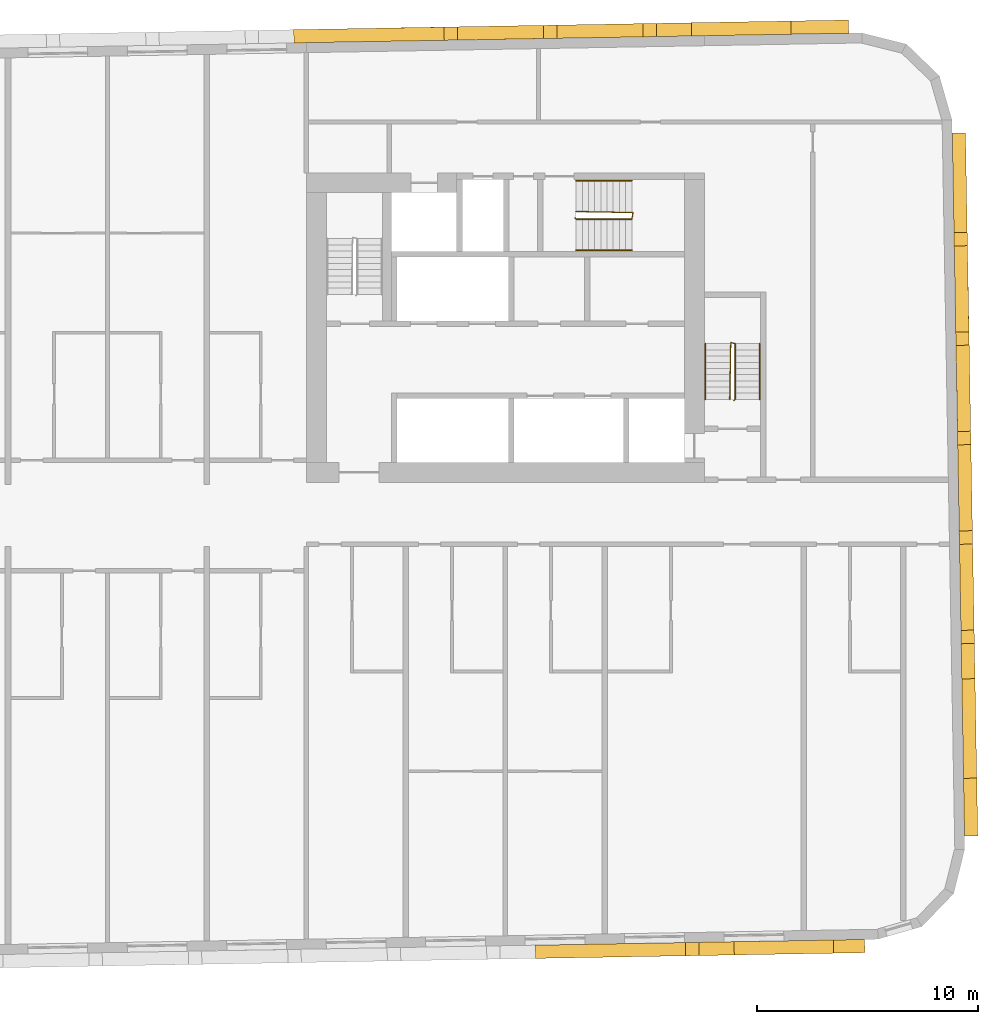
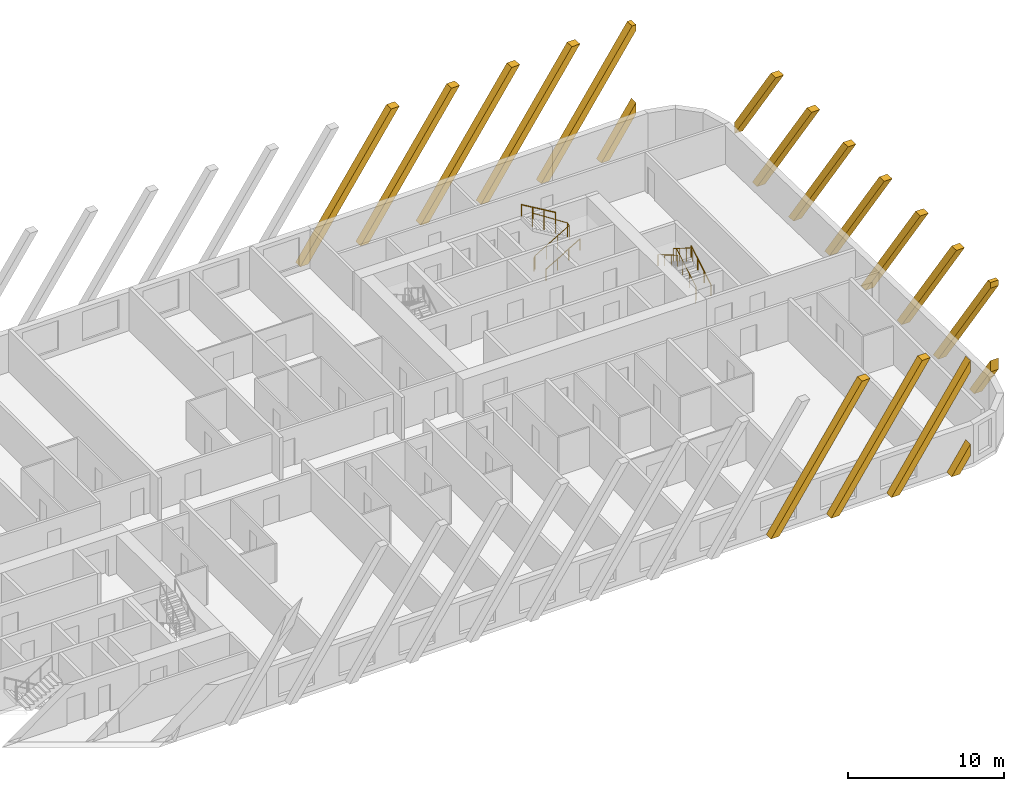
# One storey, part 12 of 12: 18 coverings, 6 railings.
"""IFC4 building model written with IfcOpenShell, lengths in metres."""

import ifcopenshell
import ifcopenshell.guid

model = None  # the IFC model being written
_history = None  # IfcOwnerHistory: only IFC2X3 demands one
_inside = {}  # id of a spatial element -> (the spatial element, [elements in it])
_under = {}  # id of a project, library or spatial element -> (it, [spatial elements below it])
_declared = {}  # id of a project -> (the project, [libraries it declares])
_typed = {}  # id of a type object -> (the type object, [elements of that type])
_made_of = {}  # id of a material, layer set ... -> (it, [elements and type objects made of it])


def new_model(schema):
    """Start an empty IFC model of exactly this schema.

    Asked for "IFC4X3", IfcOpenShell would pick the latest addendum, in which some entities
    have other attributes; the version numbers below select the first issue.
    IFC2X3 requires an IfcOwnerHistory on every rooted entity: one is made here for all.
    """
    global model, _history
    if schema == "IFC4X3":
        model = ifcopenshell.file(schema_version=(4, 3, 0, 0))
    else:
        model = ifcopenshell.file(schema=schema)
    _inside.clear()
    _under.clear()
    _declared.clear()
    _typed.clear()
    _made_of.clear()
    _history = None
    if model.schema == "IFC2X3":
        org = make("IfcOrganization", Name="unknown")
        user = make(
            "IfcPersonAndOrganization",
            ThePerson=make("IfcPerson", FamilyName="unknown"),
            TheOrganization=org,
        )
        app = make(
            "IfcApplication",
            ApplicationDeveloper=org,
            Version="unknown",
            ApplicationFullName="unknown",
            ApplicationIdentifier="unknown",
        )
        _history = make(
            "IfcOwnerHistory",
            OwningUser=user,
            OwningApplication=app,
            ChangeAction="ADDED",
            CreationDate=0,
        )
    return model


def make(cls, **values):
    """One entity of the class cls with the attributes given. An attribute that is None is left unset."""
    return model.create_entity(
        cls, **{name: value for name, value in values.items() if value is not None}
    )


def rooted(cls, **values):
    """An entity with a GlobalId (a new one), such as an element, a storey or a relation."""
    return make(cls, GlobalId=ifcopenshell.guid.new(), OwnerHistory=_history, **values)


def si_unit(unit_type, name, prefix=None):
    """IfcSIUnit, for example si_unit("LENGTHUNIT", "METRE", prefix="MILLI")."""
    return make("IfcSIUnit", UnitType=unit_type, Prefix=prefix, Name=name)


def assignment(units):
    """IfcUnitAssignment: the units of a project."""
    return None if units is None else make("IfcUnitAssignment", Units=units)


def point(xyz):
    """IfcCartesianPoint."""
    return None if xyz is None else make("IfcCartesianPoint", Coordinates=xyz)


def direction(xyz):
    """IfcDirection."""
    return None if xyz is None else make("IfcDirection", DirectionRatios=xyz)


def frame(location, z_axis=None, x_axis=None):
    """IfcAxis2Placement3D, a coordinate frame: its origin and axes. An axis left out is left unset."""
    return make(
        "IfcAxis2Placement3D",
        Location=point(location),
        Axis=direction(z_axis),
        RefDirection=direction(x_axis),
    )


def frame_2d(location, x_axis=None):
    """IfcAxis2Placement2D, a coordinate frame in the plane: its origin and x axis."""
    return make(
        "IfcAxis2Placement2D", Location=point(location), RefDirection=direction(x_axis)
    )


def origin():
    """The frame at (0, 0, 0) with its axes left unset."""
    return frame((0.0, 0.0, 0.0))


def origin_2d():
    """The frame at (0, 0) in the plane with its x axis left unset."""
    return frame_2d((0.0, 0.0))


def place(relative_to, where):
    """IfcLocalPlacement: puts the frame where relative to a parent placement (None: the world)."""
    return make(
        "IfcLocalPlacement", PlacementRelTo=relative_to, RelativePlacement=where
    )


def context(
    kind, dimensions, precision=None, world=None, true_north=None, identifier=None
):
    """IfcGeometricRepresentationContext, for example the 3D "Model" context."""
    return make(
        "IfcGeometricRepresentationContext",
        ContextIdentifier=identifier,
        ContextType=kind,
        CoordinateSpaceDimension=dimensions,
        Precision=precision,
        WorldCoordinateSystem=world,
        TrueNorth=true_north,
    )


def subcontext(parent, identifier, kind, view, scale=None):
    """IfcGeometricRepresentationSubContext, for example "Body" below "Model"."""
    return make(
        "IfcGeometricRepresentationSubContext",
        ContextIdentifier=identifier,
        ContextType=kind,
        ParentContext=parent,
        TargetScale=scale,
        TargetView=view,
    )


def project(units=None, contexts=None):
    """IfcProject with its units and contexts."""
    return rooted(
        "IfcProject",
        Name="project",
        RepresentationContexts=contexts,
        UnitsInContext=assignment(units),
    )


def spatial(cls, under=None, at=None, **own):
    """A site, building, storey or space (cls), placed at a placement, below another one or the project."""
    s = rooted(cls, ObjectPlacement=at, **own)
    if under is not None:
        _under.setdefault(under.id(), (under, []))[1].append(s)
    return s


def polyline(points):
    """IfcPolyline through the points."""
    return make("IfcPolyline", Points=[point(p) for p in points])


def profile(cls, at=None, kind="AREA", **sizes):
    """A parametric profile (cls). Its sizes go by their IFC names, for example OverallWidth=200.0."""
    return make(cls, ProfileType=kind, Position=at, **sizes)


def rectangle(**sizes):
    """IfcRectangleProfileDef."""
    return profile("IfcRectangleProfileDef", **sizes)


def circle(**sizes):
    """IfcCircleProfileDef."""
    return profile("IfcCircleProfileDef", **sizes)


def outline(outer, holes=None, kind="AREA"):
    """IfcArbitraryClosedProfileDef: a profile drawn as a closed curve; with holes, ...WithVoids."""
    if holes is None:
        return make("IfcArbitraryClosedProfileDef", ProfileType=kind, OuterCurve=outer)
    return make(
        "IfcArbitraryProfileDefWithVoids",
        ProfileType=kind,
        OuterCurve=outer,
        InnerCurves=holes,
    )


def extrude(swept, where, along, depth):
    """IfcExtrudedAreaSolid: the profile swept, set in the frame where, extruded along a direction by depth."""
    return make(
        "IfcExtrudedAreaSolid",
        SweptArea=swept,
        Position=where,
        ExtrudedDirection=direction(along),
        Depth=depth,
    )


def shape(context_of_items, identifier, shape_type, items):
    """IfcShapeRepresentation: the items that make up one representation, for example the "Body"."""
    return make(
        "IfcShapeRepresentation",
        ContextOfItems=context_of_items,
        RepresentationIdentifier=identifier,
        RepresentationType=shape_type,
        Items=items,
    )


def material(Name=None, Category=None):
    """IfcMaterial."""
    return make("IfcMaterial", Name=Name, Category=Category)


def material_profile(
    of_material, cross_section, Name=None, Category=None, Priority=None
):
    """IfcMaterialProfile: a cross section and its material."""
    return make(
        "IfcMaterialProfile",
        Name=Name,
        Material=of_material,
        Profile=cross_section,
        Priority=Priority,
        Category=Category,
    )


def profile_set(profiles, Name=None, composite=None):
    """IfcMaterialProfileSet."""
    return make(
        "IfcMaterialProfileSet",
        Name=Name,
        MaterialProfiles=profiles,
        CompositeProfile=composite,
    )


def made_of(thing, what):
    """Note that an element or type object is made of a material, layer set ...; save() writes the relation."""
    if what is not None:
        _made_of.setdefault(what.id(), (what, []))[1].append(thing)
    return thing


def type_object(cls, material=None, **own):
    """A type object (cls), such as IfcWallType, which elements share."""
    return made_of(rooted(cls, **own), material)


def element(
    cls,
    number,
    at=None,
    inside=None,
    cuts=None,
    type_object=None,
    material=None,
    context=None,
    identifier="Body",
    shape_type=None,
    held_by="IfcProductDefinitionShape",
    body=None,
    shapes=None,
    **own,
):
    """One element of the class cls, such as IfcWall. Its Tag is "e" and its number.

    at: its placement. inside: the storey or other place that contains it. cuts: it is an
    opening in that element (IfcRelVoidsElement). A single representation is given by context,
    identifier, shape_type and body (its items); several are given by shapes. held_by: the class
    of the entity that holds the representations. save() writes the other relations.
    """
    e = rooted(cls, Tag="e%d" % number, ObjectPlacement=at, **own)
    if body is not None:
        shapes = [shape(context, identifier, shape_type, body)]
    if shapes is not None:
        e.Representation = make(held_by, Representations=shapes)
    if inside is not None:
        _inside.setdefault(inside.id(), (inside, []))[1].append(e)
    if cuts is not None:
        rooted(
            "IfcRelVoidsElement", RelatingBuildingElement=cuts, RelatedOpeningElement=e
        )
    if type_object is not None:
        _typed.setdefault(type_object.id(), (type_object, []))[1].append(e)
    return made_of(e, material)


def aggregate(whole, parts):
    """IfcRelAggregates: a whole, such as a stair, and the parts it consists of."""
    return rooted("IfcRelAggregates", RelatingObject=whole, RelatedObjects=parts)


def save(model, path):
    """Write the relations noted so far, then the file.

    IfcRelAggregates (storeys below a building ...), IfcRelContainedInSpatialStructure (elements
    in a storey), IfcRelDefinesByType, IfcRelAssociatesMaterial and IfcRelDeclares: one each for
    every whole, place, type object, material and project.
    """
    for whole, parts in _under.values():
        aggregate(whole, parts)
    for where, things in _inside.values():
        rooted(
            "IfcRelContainedInSpatialStructure",
            RelatedElements=things,
            RelatingStructure=where,
        )
    for kind, things in _typed.values():
        rooted("IfcRelDefinesByType", RelatedObjects=things, RelatingType=kind)
    for what, things in _made_of.values():
        rooted("IfcRelAssociatesMaterial", RelatedObjects=things, RelatingMaterial=what)
    for by, libraries in _declared.values():
        rooted("IfcRelDeclares", RelatingContext=by, RelatedDefinitions=libraries)
    model.write(path)


model = new_model("IFC4")

# Units and contexts
model_context = context("Model", 3, precision=1e-05, world=origin(), true_north=direction((0.0, 1.0)))
body_context = subcontext(model_context, "Body", "Model", "MODEL_VIEW")
ifc_project = project(units=[si_unit("LENGTHUNIT", "METRE"), si_unit("AREAUNIT", "SQUARE_METRE"), si_unit("VOLUMEUNIT", "CUBIC_METRE"), si_unit("PLANEANGLEUNIT", "RADIAN"), si_unit("MASSUNIT", "GRAM", prefix="KILO")], contexts=[model_context])

# Site, building, storey
site_placement = place(None, origin())
site = spatial("IfcSite", under=ifc_project, at=site_placement, CompositionType="ELEMENT")
building_placement = place(site_placement, origin())
building = spatial("IfcBuilding", under=site, at=building_placement, Name="Kajstack Hotel Tower", CompositionType="ELEMENT")
storey_placement = place(building_placement, frame((0.0, 0.0, 227.60009765625)))
storey = spatial("IfcBuildingStorey", under=building, at=storey_placement, Name="L55", CompositionType="ELEMENT", Elevation=227.60009765625)

# Coverings
ifc_material_1 = material(Name="Terracotta", Category="masonry")
ifc_material_profile = material_profile(ifc_material_1, rectangle(XDim=0.60009765625, YDim=0.5, at=origin_2d()), Name="Terracotta-clad concrete baguette 500 x 600")
ifc_profile_set = profile_set([ifc_material_profile], Name="Terracotta")
covering_type = type_object("IfcCoveringType", Name="BAGUETTE 500x600", PredefinedType="CLADDING", material=ifc_profile_set)
covering_1_placement = place(storey_placement, frame((23.84716796875, -19.439208984375, 0.0), z_axis=(0.017498337962, -0.999846892363, 0.0), x_axis=(0.999846892363, 0.017498337962, 0.0)))
element("IfcCovering", 1, at=covering_1_placement, inside=storey, type_object=covering_type, Name="Baguette L55-04-053", PredefinedType="CLADDING", context=body_context, shape_type="SweptSolid", body=[
    extrude(outline(polyline([(6.80419921875, 9.89990234375), (0.0, 0.0), (0.606689453125, 0.0), (7.410888671875, 9.89990234375), (6.80419921875, 9.89990234375)])), origin(), (0.0, 0.0, 1.0), 0.599853515625),
])
covering_2_placement = place(storey_placement, frame((28.346435546875, -19.360595703125, 0.0), z_axis=(0.017491221207, -0.999847016888, 0.0), x_axis=(0.999847016888, 0.017491221207, 0.0)))
element("IfcCovering", 2, at=covering_2_placement, inside=storey, type_object=covering_type, Name="Baguette L55-04-057", PredefinedType="CLADDING", context=body_context, shape_type="SweptSolid", body=[
    extrude(outline(polyline([(6.80419921875, 9.89990234375), (0.0, 0.0), (0.606689453125, 0.0), (7.410888671875, 9.89990234375), (6.80419921875, 9.89990234375)])), origin(), (0.0, 0.0, 1.0), 0.60009765625),
])
covering_3_placement = place(storey_placement, frame((32.845947265625, -19.2822265625, 0.0), z_axis=(0.017498337962, -0.999846892363, 0.0), x_axis=(0.999846892363, 0.017498337962, 0.0)))
element("IfcCovering", 3, at=covering_3_placement, inside=storey, type_object=covering_type, Name="Baguette L55-04-061", PredefinedType="CLADDING", context=body_context, shape_type="SweptSolid", body=[
    extrude(outline(polyline([(0.606689453125, 0.0), (5.907470703125, 7.712646484375), (5.907470703125, 8.595458984375), (0.0, 0.0), (0.606689453125, 0.0)])), origin(), (0.0, 0.0, 1.0), 0.599853515625),
])
covering_4_placement = place(storey_placement, frame((37.34521484375, -19.20361328125, 0.0), z_axis=(0.017498337962, -0.999846892363, 0.0), x_axis=(0.999846892363, 0.017498337962, 0.0)))
element("IfcCovering", 4, at=covering_4_placement, inside=storey, type_object=covering_type, Name="Baguette L55-04-065", PredefinedType="CLADDING", context=body_context, shape_type="SweptSolid", body=[
    extrude(outline(polyline([(0.606689453125, 0.0), (1.407470703125, 1.1650390625), (1.407470703125, 2.0478515625), (0.0, 0.0), (0.606689453125, 0.0)])), origin(), (0.0, 0.0, 1.0), 0.599853515625),
])
covering_5_placement = place(storey_placement, frame((43.271484375, -14.49951171875, 0.0), z_axis=(0.999846892363, 0.017498337962, 0.0), x_axis=(-0.017498337962, 0.999846892363, 0.0)))
element("IfcCovering", 5, at=covering_5_placement, inside=storey, type_object=covering_type, Name="Baguette L55-08-001", PredefinedType="CLADDING", context=body_context, shape_type="SweptSolid", body=[
    extrude(outline(polyline([(2.607421875, 0.0), (0.0, 3.7939453125), (0.0, 2.9111328125), (2.000732421875, 0.0), (2.607421875, 0.0)])), origin(), (0.0, 0.0, 1.0), 0.599853515625),
])
covering_6_placement = place(storey_placement, frame((43.271484375, -14.49951171875, 0.0), z_axis=(0.999846892363, 0.017498337962, 0.0), x_axis=(-0.017498337962, 0.999846892363, 0.0)))
element("IfcCovering", 6, at=covering_6_placement, inside=storey, type_object=covering_type, Name="Baguette L55-08-005", PredefinedType="CLADDING", context=body_context, shape_type="SweptSolid", body=[
    extrude(outline(polyline([(0.303466796875, 9.89990234375), (0.0, 9.89990234375), (0.0, 9.458740234375), (6.500732421875, 0.0), (7.107421875, 0.0), (0.303466796875, 9.89990234375)])), origin(), (0.0, 0.0, 1.0), 0.599853515625),
])
for number, where, z_axis, x_axis, name in (
    (7, (43.1982421875, -10.303466796875, 0.0), (0.999846892363, 0.017498337962, 0.0), (-0.017498337962, 0.999846892363, 0.0), "Baguette L55-08-009"),
    (8, (43.11962890625, -5.80419921875, 0.0), (0.999846892363, 0.017498337962, 0.0), (-0.017498337962, 0.999846892363, 0.0), "Baguette L55-08-013"),
):
    element("IfcCovering", number, at=place(storey_placement, frame(where, z_axis=z_axis, x_axis=x_axis)), inside=storey, type_object=covering_type, Name=name, PredefinedType="CLADDING", context=body_context, shape_type="SweptSolid", body=[
        extrude(outline(polyline([(0.0, 9.89990234375), (6.80419921875, 0.0), (7.410888671875, 0.0), (0.606689453125, 9.89990234375), (0.0, 9.89990234375)])), origin(), (0.0, 0.0, 1.0), 0.599853515625),
    ])
covering_7_placement = place(storey_placement, frame((43.041015625, -1.304931640625, 0.0), z_axis=(0.999847016888, 0.017491221207, 0.0), x_axis=(-0.017491221207, 0.999847016888, 0.0)))
element("IfcCovering", 9, at=covering_7_placement, inside=storey, type_object=covering_type, Name="Baguette L55-08-017", PredefinedType="CLADDING", context=body_context, shape_type="SweptSolid", body=[
    extrude(outline(polyline([(0.0, 9.89990234375), (6.80419921875, 0.0), (7.410888671875, 0.0), (0.606689453125, 9.89990234375), (0.0, 9.89990234375)])), origin(), (0.0, 0.0, 1.0), 0.60009765625),
])
for number, where, z_axis, x_axis, name in (
    (10, (42.962646484375, 3.194580078125, 0.0), (0.999853929301, 0.017091520159, 0.0), (-0.017091520159, 0.999853929301, 0.0), "Baguette L55-08-021"),
    (11, (42.884033203125, 7.69384765625, 0.0), (0.999846892363, 0.017498337962, 0.0), (-0.017498337962, 0.999846892363, 0.0), "Baguette L55-08-025"),
):
    element("IfcCovering", number, at=place(storey_placement, frame(where, z_axis=z_axis, x_axis=x_axis)), inside=storey, type_object=covering_type, Name=name, PredefinedType="CLADDING", context=body_context, shape_type="SweptSolid", body=[
        extrude(outline(polyline([(0.0, 9.89990234375), (6.80419921875, 0.0), (7.410888671875, 0.0), (0.606689453125, 9.89990234375), (0.0, 9.89990234375)])), origin(), (0.0, 0.0, 1.0), 0.599853515625),
    ])
covering_8_placement = place(storey_placement, frame((42.805419921875, 12.193115234375, 0.0), z_axis=(0.999846892363, 0.017498337962, 0.0), x_axis=(-0.017498337962, 0.999846892363, 0.0)))
element("IfcCovering", 12, at=covering_8_placement, inside=storey, type_object=covering_type, Name="Baguette L55-08-029", PredefinedType="CLADDING", context=body_context, shape_type="SweptSolid", body=[
    extrude(outline(polyline([(0.0, 9.89990234375), (5.103271484375, 2.474609375), (5.103271484375, 3.357421875), (0.606689453125, 9.89990234375), (0.0, 9.89990234375)])), origin(), (0.0, 0.0, 1.0), 0.599853515625),
])
covering_9_placement = place(storey_placement, frame((38.036865234375, 21.814697265625, 0.0), z_axis=(-0.017498337962, 0.999846892363, 0.0), x_axis=(-0.999846892363, -0.017498337962, 0.0)))
element("IfcCovering", 13, at=covering_9_placement, inside=storey, type_object=covering_type, Name="Baguette L55-12-001", PredefinedType="CLADDING", context=body_context, shape_type="SweptSolid", body=[
    extrude(outline(polyline([(2.607421875, 0.0), (0.0, 3.7939453125), (0.0, 2.9111328125), (2.000732421875, 0.0), (2.607421875, 0.0)])), origin(), (0.0, 0.0, 1.0), 0.599853515625),
])
covering_10_placement = place(storey_placement, frame((38.036865234375, 21.814697265625, 0.0), z_axis=(-0.017498337962, 0.999846892363, 0.0), x_axis=(-0.999846892363, -0.017498337962, 0.0)))
element("IfcCovering", 14, at=covering_10_placement, inside=storey, type_object=covering_type, Name="Baguette L55-12-005", PredefinedType="CLADDING", context=body_context, shape_type="SweptSolid", body=[
    extrude(outline(polyline([(0.303466796875, 9.89990234375), (0.0, 9.89990234375), (0.0, 9.458740234375), (6.500732421875, 0.0), (7.107421875, 0.0), (0.303466796875, 9.89990234375)])), origin(), (0.0, 0.0, 1.0), 0.599853515625),
])
covering_11_placement = place(storey_placement, frame((33.8408203125, 21.741455078125, 0.0), z_axis=(-0.017498337962, 0.999846892363, 0.0), x_axis=(-0.999846892363, -0.017498337962, 0.0)))
element("IfcCovering", 15, at=covering_11_placement, inside=storey, type_object=covering_type, Name="Baguette L55-12-009", PredefinedType="CLADDING", context=body_context, shape_type="SweptSolid", body=[
    extrude(outline(polyline([(0.0, 9.89990234375), (6.80419921875, 0.0), (7.410888671875, 0.0), (0.606689453125, 9.89990234375), (0.0, 9.89990234375)])), origin(), (0.0, 0.0, 1.0), 0.599853515625),
])
covering_12_placement = place(storey_placement, frame((29.341552734375, 21.662841796875, 0.0), z_axis=(-0.017491221207, 0.999847016888, 0.0), x_axis=(-0.999847016888, -0.017491221207, 0.0)))
element("IfcCovering", 16, at=covering_12_placement, inside=storey, type_object=covering_type, Name="Baguette L55-12-013", PredefinedType="CLADDING", context=body_context, shape_type="SweptSolid", body=[
    extrude(outline(polyline([(0.0, 9.89990234375), (6.80419921875, 0.0), (7.410888671875, 0.0), (0.606689453125, 9.89990234375), (0.0, 9.89990234375)])), origin(), (0.0, 0.0, 1.0), 0.60009765625),
])
for number, where, z_axis, x_axis, name in (
    (17, (24.842041015625, 21.58447265625, 0.0), (-0.017091520159, 0.999853929301, 0.0), (-0.999853929301, -0.017091520159, 0.0), "Baguette L55-12-017"),
    (18, (20.3427734375, 21.505859375, 0.0), (-0.017498337962, 0.999846892363, 0.0), (-0.999846892363, -0.017498337962, 0.0), "Baguette L55-12-021"),
):
    element("IfcCovering", number, at=place(storey_placement, frame(where, z_axis=z_axis, x_axis=x_axis)), inside=storey, type_object=covering_type, Name=name, PredefinedType="CLADDING", context=body_context, shape_type="SweptSolid", body=[
        extrude(outline(polyline([(0.0, 9.89990234375), (6.80419921875, 0.0), (7.410888671875, 0.0), (0.606689453125, 9.89990234375), (0.0, 9.89990234375)])), origin(), (0.0, 0.0, 1.0), 0.599853515625),
    ])

# Railings
ifc_material_2 = material(Name="Steel S355J2", Category="steel")
railing_type_1 = type_object("IfcRailingType", Name="Stair guard 1100", PredefinedType="GUARDRAIL", material=ifc_material_2)
railing_1_placement = place(storey_placement, frame((32.85009765625, 5.199951171875, 0.0)))
element("IfcRailing", 19, at=railing_1_placement, inside=storey, type_object=railing_type_1, Name="L55 E1 stair guard 1", PredefinedType="GUARDRAIL", context=body_context, shape_type="SweptSolid", body=[
    extrude(circle(Radius=0.02392578125, at=origin_2d()), frame((0.0, 0.0, 1.076171875), z_axis=(0.277797701265, 0.279159454702, 0.919183570361), x_axis=(-0.708833529934, 0.705375805398, 0.0)), (0.0, 0.0, 1.0), 0.17919921875),
    extrude(circle(Radius=0.02392578125, at=origin_2d()), frame((0.0498046875, 0.050048828125, 1.24072265625), z_axis=(0.0, 0.86152411907, 0.507716645641), x_axis=(-1.0, 0.0, 0.0)), (0.0, 0.0, 1.0), 2.925048828125),
    extrude(circle(Radius=0.02392578125, at=origin_2d()), frame((0.0498046875, 2.570068359375, 2.72607421875), z_axis=(-0.970072785993, 0.242814311512, 0.0), x_axis=(-0.242814311512, -0.970072785993, 0.0)), (0.0, 0.0, 1.0), 0.2060546875),
    extrude(circle(Radius=0.02392578125, at=origin_2d()), frame((-0.150146484375, 2.6201171875, 2.72607421875), z_axis=(-0.016385308676, -0.841405582595, 0.540155687962), x_axis=(0.999810440751, -0.019470042781, 0.0)), (0.0, 0.0, 1.0), 3.054443359375),
    extrude(circle(Radius=0.02099609375, at=origin_2d()), origin(), (0.0, 0.0, 1.0), 1.052001953125),
    extrude(circle(Radius=0.02099609375, at=origin_2d()), frame((0.0498046875, 0.050048828125, 0.164794921875)), (0.0, 0.0, 1.0), 1.052001953125),
    extrude(circle(Radius=0.02099609375, at=origin_2d()), frame((0.0498046875, 0.89013671875, 0.659912109375)), (0.0, 0.0, 1.0), 1.052001953125),
    extrude(circle(Radius=0.02099609375, at=origin_2d()), frame((0.0498046875, 1.72998046875, 1.15478515625)), (0.0, 0.0, 1.0), 1.052001953125),
    extrude(circle(Radius=0.02099609375, at=origin_2d()), frame((0.0498046875, 2.570068359375, 1.64990234375)), (0.0, 0.0, 1.0), 1.052001953125),
    extrude(circle(Radius=0.02099609375, at=origin_2d()), frame((-0.150146484375, 2.6201171875, 1.64990234375)), (0.0, 0.0, 1.0), 1.052001953125),
    extrude(circle(Radius=0.02099609375, at=origin_2d()), frame((-0.166748046875, 1.763427734375, 2.199951171875)), (0.0, 0.0, 1.0), 1.052001953125),
    extrude(circle(Radius=0.02099609375, at=origin_2d()), frame((-0.18359375, 0.90673828125, 2.749755859375)), (0.0, 0.0, 1.0), 1.052001953125),
    extrude(circle(Radius=0.02099609375, at=origin_2d()), frame((-0.2001953125, 0.050048828125, 3.2998046875)), (0.0, 0.0, 1.0), 1.052001953125),
])
railing_2_placement = place(storey_placement, frame((25.64990234375, 13.449951171875, 0.0)))
element("IfcRailing", 20, at=railing_2_placement, inside=storey, type_object=railing_type_1, Name="L55 E3 stair guard 1", PredefinedType="GUARDRAIL", context=body_context, shape_type="SweptSolid", body=[
    extrude(circle(Radius=0.02392578125, at=origin_2d()), frame((0.0, 0.0, 1.076171875), z_axis=(0.279053652268, -0.279053652268, 0.918835196492), x_axis=(0.707106781187, 0.707106781187, 0.0)), (0.0, 0.0, 1.0), 0.179443359375),
    extrude(circle(Radius=0.02392578125, at=origin_2d()), frame((0.050048828125, -0.050048828125, 1.24072265625), z_axis=(0.86152411907, 0.0, 0.507716645641), x_axis=(0.0, 1.0, 0.0)), (0.0, 0.0, 1.0), 2.925048828125),
    extrude(circle(Radius=0.02392578125, at=origin_2d()), frame((2.570068359375, -0.050048828125, 2.72607421875), z_axis=(0.164529134168, 0.986372223864, 0.0), x_axis=(-0.986372223864, 0.164529134168, 0.0)), (0.0, 0.0, 1.0), 0.30419921875),
    extrude(circle(Radius=0.02392578125, at=origin_2d()), frame((2.6201171875, 0.25, 2.72607421875), z_axis=(-0.841405582595, 0.016385308676, 0.540155687962), x_axis=(-0.019470042781, -0.999810440751, 0.0)), (0.0, 0.0, 1.0), 3.054443359375),
    extrude(circle(Radius=0.02099609375, at=origin_2d()), origin(), (0.0, 0.0, 1.0), 1.052001953125),
    extrude(circle(Radius=0.02099609375, at=origin_2d()), frame((0.050048828125, -0.050048828125, 0.164794921875)), (0.0, 0.0, 1.0), 1.052001953125),
    extrude(circle(Radius=0.02099609375, at=origin_2d()), frame((0.89013671875, -0.050048828125, 0.659912109375)), (0.0, 0.0, 1.0), 1.052001953125),
    extrude(circle(Radius=0.02099609375, at=origin_2d()), frame((1.72998046875, -0.050048828125, 1.15478515625)), (0.0, 0.0, 1.0), 1.052001953125),
    extrude(circle(Radius=0.02099609375, at=origin_2d()), frame((2.570068359375, -0.050048828125, 1.64990234375)), (0.0, 0.0, 1.0), 1.052001953125),
    extrude(circle(Radius=0.02099609375, at=origin_2d()), frame((2.6201171875, 0.25, 1.64990234375)), (0.0, 0.0, 1.0), 1.052001953125),
    extrude(circle(Radius=0.02099609375, at=origin_2d()), frame((1.763427734375, 0.2666015625, 2.199951171875)), (0.0, 0.0, 1.0), 1.052001953125),
    extrude(circle(Radius=0.02099609375, at=origin_2d()), frame((0.90673828125, 0.283447265625, 2.749755859375)), (0.0, 0.0, 1.0), 1.052001953125),
    extrude(circle(Radius=0.02099609375, at=origin_2d()), frame((0.050048828125, 0.300048828125, 3.2998046875)), (0.0, 0.0, 1.0), 1.052001953125),
])
railing_type_2 = type_object("IfcRailingType", Name="Stair handrail 900", PredefinedType="HANDRAIL", material=ifc_material_2)
railing_3_placement = place(storey_placement, frame((34.0, 5.25, 0.164794921875)))
element("IfcRailing", 21, at=railing_3_placement, inside=storey, type_object=railing_type_2, Name="L55 E1 stair handrail 1", PredefinedType="HANDRAIL", context=body_context, shape_type="SweptSolid", body=[
    extrude(circle(Radius=0.02392578125, at=origin_2d()), frame((0.0, 0.0, 0.8759765625), z_axis=(0.0, 0.86152411907, 0.507716645641), x_axis=(-1.0, 0.0, 0.0)), (0.0, 0.0, 1.0), 2.925048828125),
    extrude(circle(Radius=0.02099609375, at=origin_2d()), origin(), (0.0, 0.0, 1.0), 0.851806640625),
    extrude(circle(Radius=0.02099609375, at=origin_2d()), frame((0.0, 0.840087890625, 0.4951171875)), (0.0, 0.0, 1.0), 0.851806640625),
    extrude(circle(Radius=0.02099609375, at=origin_2d()), frame((0.0, 1.679931640625, 0.989990234375)), (0.0, 0.0, 1.0), 0.851806640625),
    extrude(circle(Radius=0.02099609375, at=origin_2d()), frame((0.0, 2.52001953125, 1.485107421875)), (0.0, 0.0, 1.0), 0.851806640625),
])
railing_4_placement = place(storey_placement, frame((31.550048828125, 7.77001953125, 1.81494140625)))
element("IfcRailing", 22, at=railing_4_placement, inside=storey, type_object=railing_type_2, Name="L55 E1 stair handrail 2", PredefinedType="HANDRAIL", context=body_context, shape_type="SweptSolid", body=[
    extrude(circle(Radius=0.02392578125, at=origin_2d()), frame((0.0, 0.0, 0.8759765625), z_axis=(0.0, -0.861560626758, 0.507654692109), x_axis=(1.0, 0.0, 0.0)), (0.0, 0.0, 1.0), 2.925048828125),
    extrude(circle(Radius=0.02099609375, at=origin_2d()), origin(), (0.0, 0.0, 1.0), 0.851806640625),
    extrude(circle(Radius=0.02099609375, at=origin_2d()), frame((0.0, -0.840087890625, 0.494873046875)), (0.0, 0.0, 1.0), 0.851806640625),
    extrude(circle(Radius=0.02099609375, at=origin_2d()), frame((0.0, -1.679931640625, 0.989990234375)), (0.0, 0.0, 1.0), 0.851806640625),
    extrude(circle(Radius=0.02099609375, at=origin_2d()), frame((0.0, -2.52001953125, 1.48486328125)), (0.0, 0.0, 1.0), 0.851806640625),
])
railing_5_placement = place(storey_placement, frame((25.699951171875, 12.0, 0.164794921875)))
element("IfcRailing", 23, at=railing_5_placement, inside=storey, type_object=railing_type_2, Name="L55 E3 stair handrail 1", PredefinedType="HANDRAIL", context=body_context, shape_type="SweptSolid", body=[
    extrude(circle(Radius=0.02392578125, at=origin_2d()), frame((0.0, 0.0, 0.8759765625), z_axis=(0.86152411907, 0.0, 0.507716645641), x_axis=(0.0, 1.0, 0.0)), (0.0, 0.0, 1.0), 2.925048828125),
    extrude(circle(Radius=0.02099609375, at=origin_2d()), origin(), (0.0, 0.0, 1.0), 0.851806640625),
    extrude(circle(Radius=0.02099609375, at=origin_2d()), frame((0.840087890625, 0.0, 0.4951171875)), (0.0, 0.0, 1.0), 0.851806640625),
    extrude(circle(Radius=0.02099609375, at=origin_2d()), frame((1.679931640625, 0.0, 0.989990234375)), (0.0, 0.0, 1.0), 0.851806640625),
    extrude(circle(Radius=0.02099609375, at=origin_2d()), frame((2.52001953125, 0.0, 1.485107421875)), (0.0, 0.0, 1.0), 0.851806640625),
])
railing_6_placement = place(storey_placement, frame((28.219970703125, 15.14990234375, 1.81494140625)))
element("IfcRailing", 24, at=railing_6_placement, inside=storey, type_object=railing_type_2, Name="L55 E3 stair handrail 2", PredefinedType="HANDRAIL", context=body_context, shape_type="SweptSolid", body=[
    extrude(circle(Radius=0.02392578125, at=origin_2d()), frame((0.0, 0.0, 0.8759765625), z_axis=(-0.861560626758, 0.0, 0.507654692109), x_axis=(0.0, -1.0, 0.0)), (0.0, 0.0, 1.0), 2.925048828125),
    extrude(circle(Radius=0.02099609375, at=origin_2d()), origin(), (0.0, 0.0, 1.0), 0.851806640625),
    extrude(circle(Radius=0.02099609375, at=origin_2d()), frame((-0.840087890625, 0.0, 0.494873046875)), (0.0, 0.0, 1.0), 0.851806640625),
    extrude(circle(Radius=0.02099609375, at=origin_2d()), frame((-1.679931640625, 0.0, 0.989990234375)), (0.0, 0.0, 1.0), 0.851806640625),
    extrude(circle(Radius=0.02099609375, at=origin_2d()), frame((-2.52001953125, 0.0, 1.48486328125)), (0.0, 0.0, 1.0), 0.851806640625),
])

save(model, "model.ifc")
